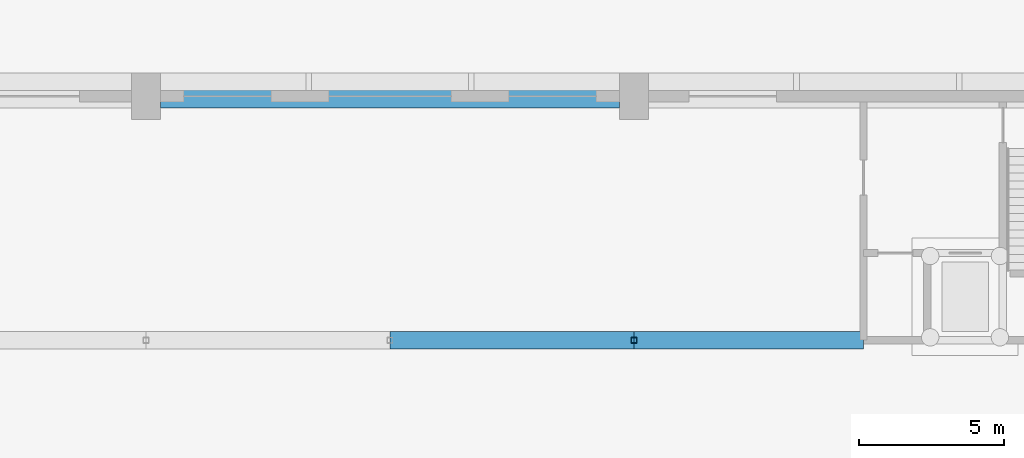
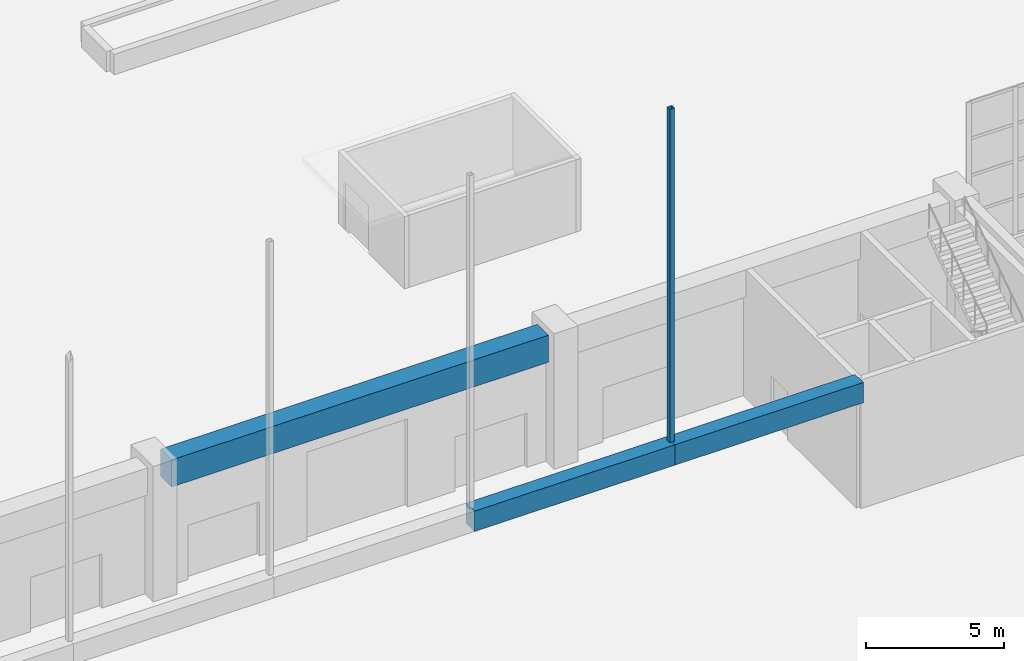
# One storey, part 64 of 210: 3 beams, 1 member.
"""IFC4 building model written with IfcOpenShell, lengths in metres."""

from ifc_helpers import new_model, si_unit, direction, frame, origin, origin_2d, place, context, subcontext, project, spatial, rectangle, hollow_rectangle, extrude, material, material_profile, profile_set, type_object, element, save


model = new_model("IFC4")

# Units and contexts
model_context = context("Model", 3, precision=1e-05, world=origin(), true_north=direction((0.0, 1.0)))
body_context = subcontext(model_context, "Body", "Model", "MODEL_VIEW")
ifc_project = project(units=[si_unit("LENGTHUNIT", "METRE"), si_unit("AREAUNIT", "SQUARE_METRE"), si_unit("VOLUMEUNIT", "CUBIC_METRE"), si_unit("PLANEANGLEUNIT", "RADIAN"), si_unit("MASSUNIT", "GRAM", prefix="KILO")], contexts=[model_context])

# Site, building, storey
site_placement = place(None, origin())
site = spatial("IfcSite", under=ifc_project, at=site_placement, CompositionType="ELEMENT")
building_placement = place(site_placement, origin())
building = spatial("IfcBuilding", under=site, at=building_placement, Name="Rain Tree Exposition and Congress Centre", CompositionType="ELEMENT")
storey_placement = place(building_placement, origin())
storey = spatial("IfcBuildingStorey", under=building, at=storey_placement, Name="L00", CompositionType="ELEMENT", Elevation=0.0)

# Beams
ifc_material_1 = material(Name="Precast concrete C50/60", Category="concrete")
ifc_material_profile_1 = material_profile(ifc_material_1, rectangle(XDim=0.60009765625, YDim=0.89990234375, at=origin_2d()), Name="RC 600x900")
ifc_profile_set_1 = profile_set([ifc_material_profile_1], Name="Precast concrete C50/60")
beam_type_1 = type_object("IfcBeamType", Name="Precast beam 600x900", PredefinedType="BEAM", material=ifc_profile_set_1)
beam_1_placement = place(storey_placement, frame((100.800048828125, 193.199951171875, 5.25), z_axis=(1.0, 0.0, 0.0), x_axis=(0.0, 1.0, 0.0)))
element("IfcBeam", 1, at=beam_1_placement, inside=storey, type_object=beam_type_1, Name="Gallery edge beam 34", PredefinedType="BEAM", context=body_context, shape_type="SweptSolid", body=[
    extrude(rectangle(XDim=0.60009765625, YDim=0.89990234375, at=origin_2d()), origin(), (0.0, 0.0, 1.0), 8.39990234375),
])
beam_2_placement = place(storey_placement, frame((109.199951171875, 193.199951171875, 5.25), z_axis=(1.0, 0.0, 0.0), x_axis=(0.0, 1.0, 0.0)))
element("IfcBeam", 2, at=beam_2_placement, inside=storey, type_object=beam_type_1, Name="Gallery edge beam 35", PredefinedType="BEAM", context=body_context, shape_type="SweptSolid", body=[
    extrude(rectangle(XDim=0.60009765625, YDim=0.89990234375, at=origin_2d()), origin(), (0.0, 0.0, 1.0), 7.900146484375),
])
ifc_material_2 = material(Name="Precast concrete C50/60", Category="concrete")
ifc_material_profile_2 = material_profile(ifc_material_2, rectangle(XDim=0.800048828125, YDim=1.199951171875, at=origin_2d()), Name="RC 800x1200")
ifc_profile_set_2 = profile_set([ifc_material_profile_2], Name="Precast concrete C50/60")
beam_type_2 = type_object("IfcBeamType", Name="Precast beam 800x1200", PredefinedType="BEAM", material=ifc_profile_set_2)
beam_3_placement = place(storey_placement, frame((92.89990234375, 201.60009765625, 5.10009765625), z_axis=(1.0, 0.0, 0.0), x_axis=(0.0, 1.0, 0.0)))
element("IfcBeam", 3, at=beam_3_placement, inside=storey, type_object=beam_type_2, Name="Gallery perimeter beam 13", PredefinedType="BEAM", context=body_context, shape_type="SweptSolid", body=[
    extrude(rectangle(XDim=0.800048828125, YDim=1.199951171875, at=origin_2d()), origin(), (0.0, 0.0, 1.0), 15.800048828125),
])

# Member
ifc_material_3 = material(Name="Steel S355J2H", Category="steel")
ifc_material_profile_3 = material_profile(ifc_material_3, hollow_rectangle(XDim=0.199951171875, YDim=0.199951171875, WallThickness=0.009033203125, at=origin_2d()), Name="RHS 200x200x9")
ifc_profile_set_3 = profile_set([ifc_material_profile_3], Name="Steel S355J2H")
member_type = type_object("IfcMemberType", Name="Steel member member RHS 200x200x9", PredefinedType="MEMBER", material=ifc_profile_set_3)
member_placement = place(storey_placement, frame((109.199951171875, 193.199951171875, 5.699951171875), z_axis=(0.0, 0.0, 1.0), x_axis=(1.0, 0.0, 0.0)))
element("IfcMember", 4, at=member_placement, inside=storey, type_object=member_type, Name="Gallery hanger 46", PredefinedType="MEMBER", context=body_context, shape_type="SweptSolid", body=[
    extrude(hollow_rectangle(XDim=0.199951171875, YDim=0.199951171875, WallThickness=0.009033203125, at=origin_2d()), origin(), (0.0, 0.0, 1.0), 14.766845703125),
])

save(model, "model.ifc")
